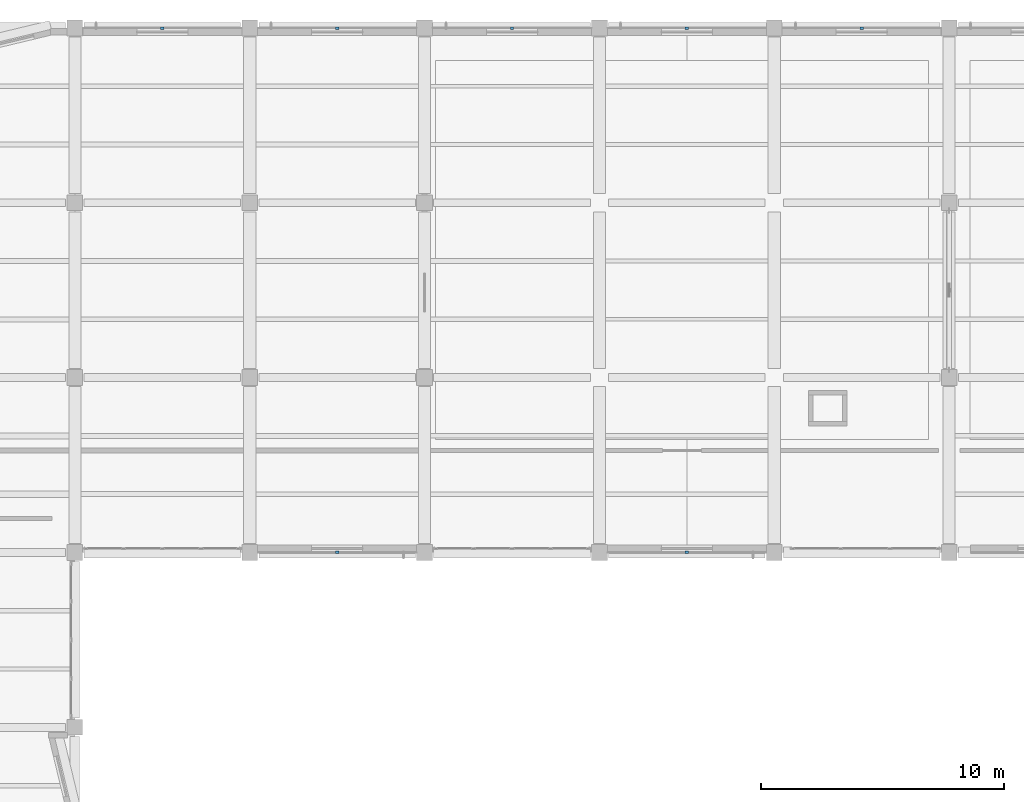
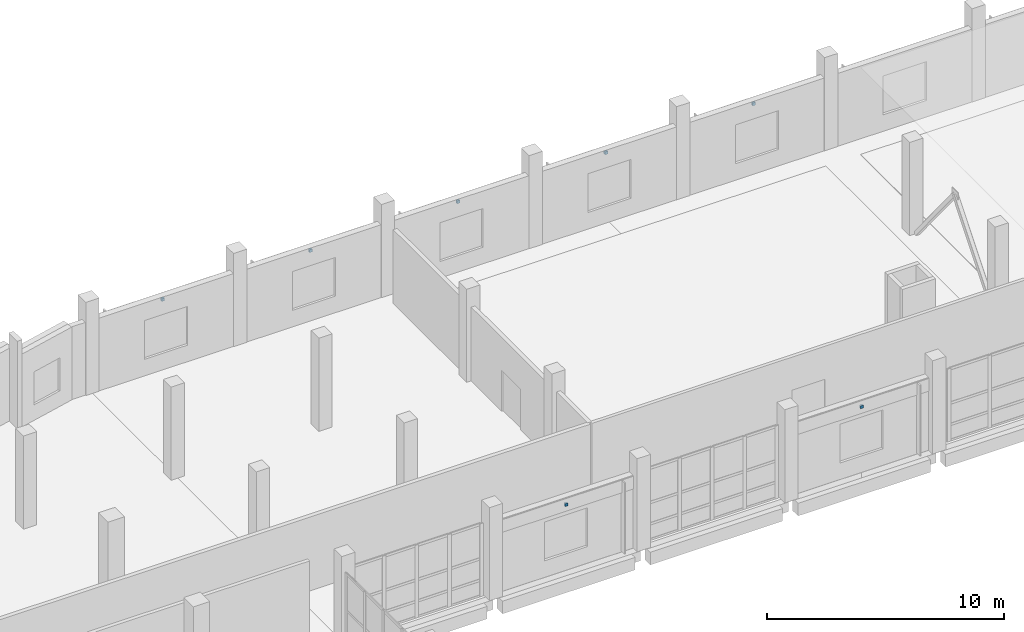
# One storey, part 103 of 127: 7 discrete accessories.
"""IFC4 building model written with IfcOpenShell, lengths in metres."""

from ifc_helpers import new_model, si_unit, direction, frame, origin, origin_2d, place, context, subcontext, project, spatial, rectangle, extrude, material, type_object, element, save


model = new_model("IFC4")

# Units and contexts
model_context = context("Model", 3, precision=1e-05, world=origin(), true_north=direction((0.0, 1.0)))
body_context = subcontext(model_context, "Body", "Model", "MODEL_VIEW")
ifc_project = project(units=[si_unit("LENGTHUNIT", "METRE"), si_unit("AREAUNIT", "SQUARE_METRE"), si_unit("VOLUMEUNIT", "CUBIC_METRE"), si_unit("PLANEANGLEUNIT", "RADIAN"), si_unit("MASSUNIT", "GRAM", prefix="KILO")], contexts=[model_context])

# Site, building, storey
site_placement = place(None, origin())
site = spatial("IfcSite", under=ifc_project, at=site_placement, CompositionType="ELEMENT")
building_placement = place(site_placement, origin())
building = spatial("IfcBuilding", under=site, at=building_placement, Name="Kalmorath City Hall", CompositionType="ELEMENT")
storey_placement = place(building_placement, frame((0.0, 0.0, 5.39990234375)))
storey = spatial("IfcBuildingStorey", under=building, at=storey_placement, Name="L01", CompositionType="ELEMENT", Elevation=5.39990234375)

# Discrete accessories
ifc_material = material(Name="Stainless steel Grade 316", Category="steel")
discrete_accessory_type = type_object("IfcDiscreteAccessoryType", Name="Stainless rainscreen support bracket", PredefinedType="BRACKET", material=ifc_material)
for number, where, z_axis, x_axis, name in (
    (1, (32.39990234375, 115.18994140625, 3.3310546875), (0.0, 0.0, 1.0), (1.0, 0.0, 0.0), "L01 basalt anchor bracket #20"),
    (2, (39.60009765625, 115.18994140625, 3.3310546875), (0.0, 0.0, 1.0), (1.0, 0.0, 0.0), "L01 basalt anchor bracket #21"),
    (3, (46.800048828125, 115.18994140625, 3.3310546875), (0.0, 0.0, 1.0), (1.0, 0.0, 0.0), "L01 basalt anchor bracket #22"),
    (4, (54.0, 115.18994140625, 3.3310546875), (0.0, 0.0, 1.0), (1.0, 0.0, 0.0), "L01 basalt anchor bracket #23"),
    (5, (61.199951171875, 115.18994140625, 3.3310546875), (0.0, 0.0, 1.0), (1.0, 0.0, 0.0), "L01 basalt anchor bracket #24"),
    (6, (54.0, 93.610107421875, 3.3310546875), (0.0, 0.0, 1.0), (-1.0, 0.0, 0.0), "L01 basalt anchor bracket #37"),
    (7, (39.60009765625, 93.610107421875, 3.3310546875), (0.0, 0.0, 1.0), (-1.0, 0.0, 0.0), "L01 basalt anchor bracket #38"),
):
    element("IfcDiscreteAccessory", number, at=place(storey_placement, frame(where, z_axis=z_axis, x_axis=x_axis)), inside=storey, type_object=discrete_accessory_type, Name=name, PredefinedType="BRACKET", context=body_context, shape_type="SweptSolid", body=[
        extrude(rectangle(XDim=0.139892578125, YDim=0.10009765625, at=origin_2d()), origin(), (0.0, 0.0, 1.0), 0.139892578125),
    ])

save(model, "model.ifc")
